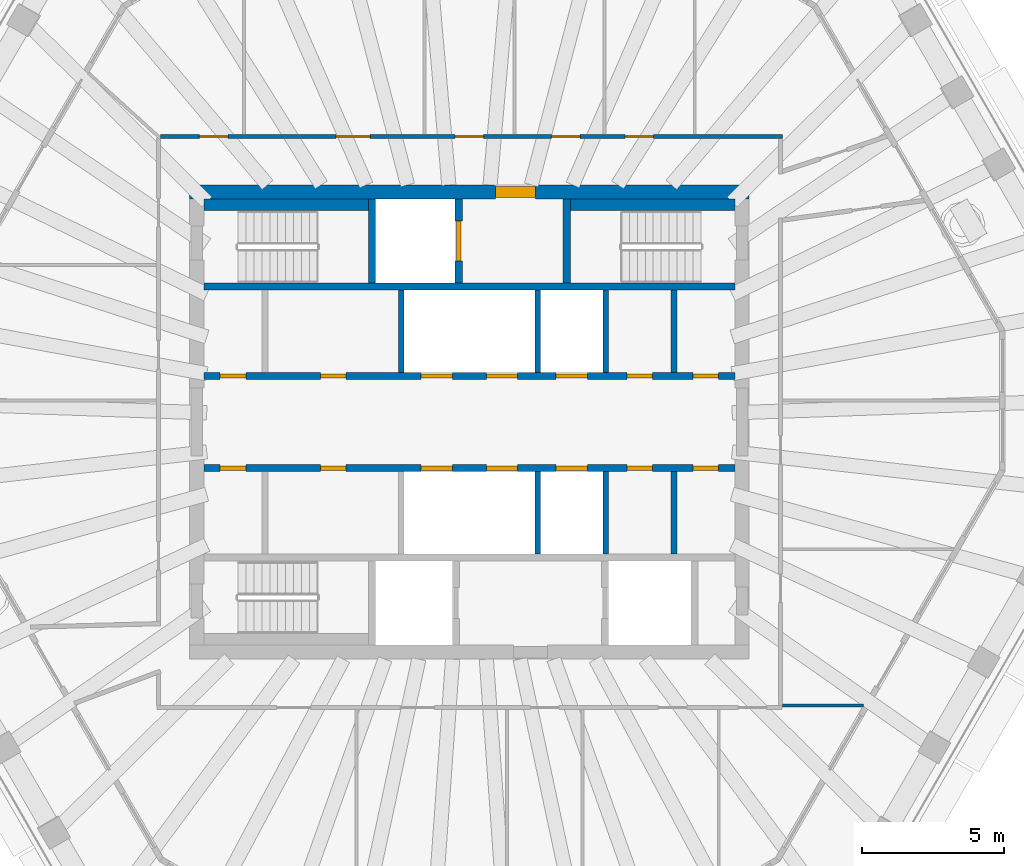
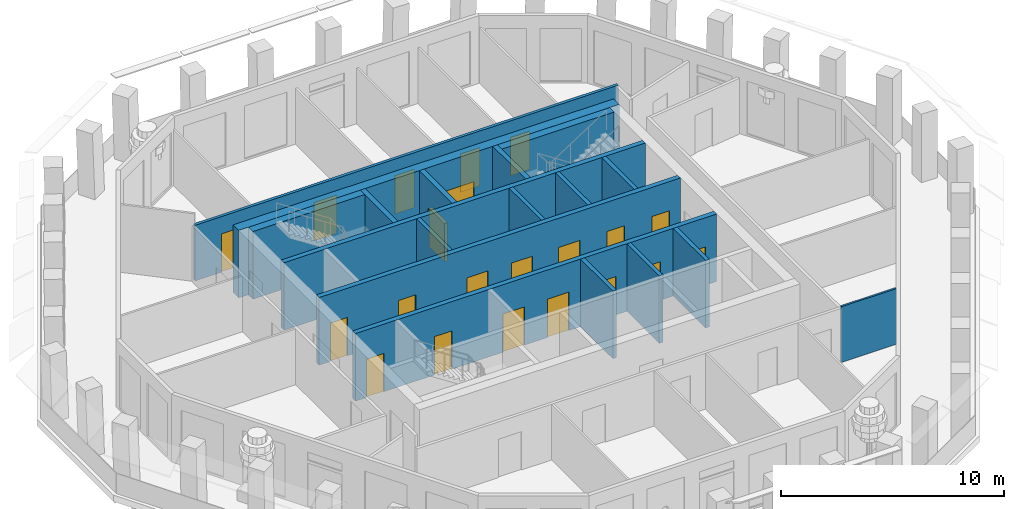
# One storey, part 5 of 11: 21 doors, 18 walls, 21 openings.
"""IFC4 building model written with IfcOpenShell, lengths in metres."""

from ifc_helpers import new_model, si_unit, direction, frame, frame_2d, origin, place, context, subcontext, project, spatial, rectangle, extrude, material, layer, layer_set, type_object, element, fill, save


model = new_model("IFC4")

# Units and contexts
model_context = context("Model", 3, precision=1e-05, world=origin(), true_north=direction((0.0, 1.0)))
body_context = subcontext(model_context, "Body", "Model", "MODEL_VIEW")
ifc_project = project(units=[si_unit("LENGTHUNIT", "METRE"), si_unit("AREAUNIT", "SQUARE_METRE"), si_unit("VOLUMEUNIT", "CUBIC_METRE"), si_unit("PLANEANGLEUNIT", "RADIAN"), si_unit("MASSUNIT", "GRAM", prefix="KILO")], contexts=[model_context])

# Site, building, storey
site_placement = place(None, origin())
site = spatial("IfcSite", under=ifc_project, at=site_placement, CompositionType="ELEMENT")
building_placement = place(site_placement, origin())
building = spatial("IfcBuilding", under=site, at=building_placement, Name="Frailejon Research Tower", CompositionType="ELEMENT")
storey_placement = place(building_placement, frame((0.0, 0.0, 332.60009765625)))
storey = spatial("IfcBuildingStorey", under=building, at=storey_placement, Name="L74", CompositionType="ELEMENT", Elevation=332.60009765625)

# Wall, opening, door
ifc_material_1 = material(Name="Concrete C50/60", Category="concrete")
ifc_layer_1 = layer(ifc_material_1, 0.5)
ifc_layer_set_1 = layer_set([ifc_layer_1], Name="Core shear wall 500 C50/60")
wall_type_1 = type_object("IfcWallType", Name="Core shear wall 500 C50/60", PredefinedType="SHEAR", material=ifc_layer_set_1)
wall_1_placement = place(storey_placement, frame((-9.85009765625, 8.10009765625, 0.0), z_axis=(0.0, 0.0, 1.0), x_axis=(1.0, 0.0, 0.0)))
wall_1 = element("IfcWall", 1, at=wall_1_placement, inside=storey, type_object=wall_type_1, Name="Core shear wall", PredefinedType="SHEAR", context=body_context, shape_type="SweptSolid", body=[
    extrude(rectangle(XDim=19.7001953125, YDim=0.5, at=frame_2d((9.85009765625, 0.0))), origin(), (0.0, 0.0, 1.0), 3.699951171875),
])
opening_1_placement = place(wall_1_placement, frame((10.77490234375, 0.0, 0.0)))
opening_1 = element("IfcOpeningElement", 2, at=opening_1_placement, cuts=wall_1, Name="Opening D9", PredefinedType="OPENING", context=body_context, shape_type="SweptSolid", body=[
    extrude(rectangle(XDim=1.39990234375, YDim=2.10009765625, at=frame_2d((0.699951171875, 1.050048828125))), frame((0.0, 0.260009765625, 0.0), z_axis=(0.0, -1.0, 0.0), x_axis=(1.0, 0.0, 0.0)), (0.0, 0.0, 1.0), 0.52001953125),
])
ifc_material_2 = material(Name="Steel", Category="steel")
door_type_1 = type_object("IfcDoorType", Name="Goods lobby door", OperationType="DOUBLE_DOOR_SINGLE_SWING", PredefinedType="DOOR", material=ifc_material_2)
door_1_placement = place(opening_1_placement, origin())
door_1 = element("IfcDoor", 3, at=door_1_placement, inside=storey, type_object=door_type_1, Name="Goods lobby door", OperationType="DOUBLE_DOOR_SINGLE_SWING", OverallHeight=2.10009765625, OverallWidth=1.39990234375, PredefinedType="DOOR", context=body_context, shape_type="SweptSolid", body=[
    extrude(rectangle(XDim=1.39990234375, YDim=2.10009765625, at=frame_2d((0.699951171875, 1.050048828125))), frame((0.0, 0.199951171875, 0.0), z_axis=(0.0, -1.0, 0.0), x_axis=(1.0, 0.0, 0.0)), (0.0, 0.0, 1.0), 0.39990234375),
])
fill(opening_1, door_1)

# Wall, openings, doors
ifc_material_3 = material(Name="Gypsum board and masonry partition", Category="masonry")
ifc_layer_2 = layer(ifc_material_3, 0.14990234375)
ifc_layer_set_2 = layer_set([ifc_layer_2], Name="Corridor wall EI 60, gypsum on steel studs 150")
wall_type_2 = type_object("IfcWallType", Name="Corridor wall EI 60, gypsum on steel studs 150", PredefinedType="PARTITIONING", material=ifc_layer_set_2)
wall_2_placement = place(storey_placement, frame((-10.875, 10.050048828125, 0.0), z_axis=(0.0, 0.0, 1.0), x_axis=(1.0, 0.0, 0.0)))
wall_2 = element("IfcWall", 4, at=wall_2_placement, inside=storey, type_object=wall_type_2, Name="T:IW:L74:005", PredefinedType="PARTITIONING", context=body_context, shape_type="SweptSolid", body=[
    extrude(rectangle(XDim=21.89990234375, YDim=0.14990234375, at=frame_2d((10.949951171875, 0.0))), origin(), (0.0, 0.0, 1.0), 3.0498046875),
])
opening_2_placement = place(wall_2_placement, frame((16.354248046875, 0.0, 0.0)))
opening_2 = element("IfcOpeningElement", 5, at=opening_2_placement, cuts=wall_2, Name="Opening D2382", PredefinedType="OPENING", context=body_context, shape_type="SweptSolid", body=[
    extrude(rectangle(XDim=1.0, YDim=2.10009765625, at=frame_2d((0.5, 1.050048828125))), frame((0.0, 0.0849609375, 0.0), z_axis=(0.0, -1.0, 0.0), x_axis=(1.0, 0.0, 0.0)), (0.0, 0.0, 1.0), 0.169921875),
])
opening_3_placement = place(wall_2_placement, frame((13.77001953125, 0.0, 0.0)))
opening_3 = element("IfcOpeningElement", 6, at=opening_3_placement, cuts=wall_2, Name="Opening D2383", PredefinedType="OPENING", context=body_context, shape_type="SweptSolid", body=[
    extrude(rectangle(XDim=1.0, YDim=2.10009765625, at=frame_2d((0.5, 1.050048828125))), frame((0.0, 0.0849609375, 0.0), z_axis=(0.0, -1.0, 0.0), x_axis=(1.0, 0.0, 0.0)), (0.0, 0.0, 1.0), 0.169921875),
])
opening_4_placement = place(wall_2_placement, frame((10.375, 0.0, 0.0)))
opening_4 = element("IfcOpeningElement", 7, at=opening_4_placement, cuts=wall_2, Name="Opening D2384", PredefinedType="OPENING", context=body_context, shape_type="SweptSolid", body=[
    extrude(rectangle(XDim=1.0, YDim=2.10009765625, at=frame_2d((0.5, 1.050048828125))), frame((0.0, 0.0849609375, 0.0), z_axis=(0.0, -1.0, 0.0), x_axis=(1.0, 0.0, 0.0)), (0.0, 0.0, 1.0), 0.169921875),
])
opening_5_placement = place(wall_2_placement, frame((6.181396484375, 0.0, 0.0)))
opening_5 = element("IfcOpeningElement", 8, at=opening_5_placement, cuts=wall_2, Name="Opening D2385", PredefinedType="OPENING", context=body_context, shape_type="SweptSolid", body=[
    extrude(rectangle(XDim=1.199951171875, YDim=2.10009765625, at=frame_2d((0.60009765625, 1.050048828125))), frame((0.0, 0.0849609375, 0.0), z_axis=(0.0, -1.0, 0.0), x_axis=(1.0, 0.0, 0.0)), (0.0, 0.0, 1.0), 0.169921875),
])
opening_6_placement = place(wall_2_placement, frame((1.365234375, 0.0, 0.0)))
opening_6 = element("IfcOpeningElement", 9, at=opening_6_placement, cuts=wall_2, Name="Opening D2386", PredefinedType="OPENING", context=body_context, shape_type="SweptSolid", body=[
    extrude(rectangle(XDim=1.0, YDim=2.10009765625, at=frame_2d((0.5, 1.050048828125))), frame((0.0, 0.0849609375, 0.0), z_axis=(0.0, -1.0, 0.0), x_axis=(1.0, 0.0, 0.0)), (0.0, 0.0, 1.0), 0.169921875),
])
ifc_material_4 = material(Name="Timber door leaf", Category="wood")
door_type_2 = type_object("IfcDoorType", Name="Door single leaf, timber, steel frame 1000", OperationType="NOTDEFINED", PredefinedType="DOOR", material=ifc_material_4)
door_2_placement = place(opening_2_placement, origin())
door_2 = element("IfcDoor", 10, at=door_2_placement, inside=storey, type_object=door_type_2, Name="D2382", OperationType="SINGLE_SWING_LEFT", OverallHeight=2.10009765625, OverallWidth=1.0, PredefinedType="DOOR", context=body_context, shape_type="SweptSolid", body=[
    extrude(rectangle(XDim=1.0, YDim=2.10009765625, at=frame_2d((0.5, 1.050048828125))), frame((0.0, 0.02490234375, 0.0), z_axis=(0.0, -1.0, 0.0), x_axis=(1.0, 0.0, 0.0)), (0.0, 0.0, 1.0), 0.050048828125),
])
fill(opening_2, door_2)
door_3_placement = place(opening_3_placement, origin())
door_3 = element("IfcDoor", 11, at=door_3_placement, inside=storey, type_object=door_type_2, Name="D2383", OperationType="SINGLE_SWING_LEFT", OverallHeight=2.10009765625, OverallWidth=1.0, PredefinedType="DOOR", context=body_context, shape_type="SweptSolid", body=[
    extrude(rectangle(XDim=1.0, YDim=2.10009765625, at=frame_2d((0.5, 1.050048828125))), frame((0.0, 0.02490234375, 0.0), z_axis=(0.0, -1.0, 0.0), x_axis=(1.0, 0.0, 0.0)), (0.0, 0.0, 1.0), 0.050048828125),
])
fill(opening_3, door_3)
door_4_placement = place(opening_4_placement, origin())
door_4 = element("IfcDoor", 12, at=door_4_placement, inside=storey, type_object=door_type_2, Name="D2384", OperationType="SINGLE_SWING_LEFT", OverallHeight=2.10009765625, OverallWidth=1.0, PredefinedType="DOOR", context=body_context, shape_type="SweptSolid", body=[
    extrude(rectangle(XDim=1.0, YDim=2.10009765625, at=frame_2d((0.5, 1.050048828125))), frame((0.0, 0.02490234375, 0.0), z_axis=(0.0, -1.0, 0.0), x_axis=(1.0, 0.0, 0.0)), (0.0, 0.0, 1.0), 0.050048828125),
])
fill(opening_4, door_4)
door_5_placement = place(opening_6_placement, origin())
door_5 = element("IfcDoor", 13, at=door_5_placement, inside=storey, type_object=door_type_2, Name="D2386", OperationType="SINGLE_SWING_RIGHT", OverallHeight=2.10009765625, OverallWidth=1.0, PredefinedType="DOOR", context=body_context, shape_type="SweptSolid", body=[
    extrude(rectangle(XDim=1.0, YDim=2.10009765625, at=frame_2d((0.5, 1.050048828125))), frame((0.0, 0.02490234375, 0.0), z_axis=(0.0, -1.0, 0.0), x_axis=(1.0, 0.0, 0.0)), (0.0, 0.0, 1.0), 0.050048828125),
])
fill(opening_6, door_5)
ifc_material_5 = material(Name="Timber door leaf", Category="wood")
door_type_3 = type_object("IfcDoorType", Name="Door single leaf, timber, steel frame 1200", OperationType="NOTDEFINED", PredefinedType="DOOR", material=ifc_material_5)
door_6_placement = place(opening_5_placement, origin())
door_6 = element("IfcDoor", 14, at=door_6_placement, inside=storey, type_object=door_type_3, Name="D2385", OperationType="DOUBLE_DOOR_SINGLE_SWING", OverallHeight=2.10009765625, OverallWidth=1.199951171875, PredefinedType="DOOR", context=body_context, shape_type="SweptSolid", body=[
    extrude(rectangle(XDim=1.199951171875, YDim=2.10009765625, at=frame_2d((0.60009765625, 1.050048828125))), frame((0.0, 0.02490234375, 0.0), z_axis=(0.0, -1.0, 0.0), x_axis=(1.0, 0.0, 0.0)), (0.0, 0.0, 1.0), 0.050048828125),
])
fill(opening_5, door_6)

# Walls
ifc_material_6 = material(Name="Gypsum board and masonry partition", Category="masonry")
ifc_layer_3 = layer(ifc_material_6, 0.10009765625)
ifc_layer_set_3 = layer_set([ifc_layer_3], Name="Partition, gypsum on steel studs 100")
wall_type_3 = type_object("IfcWallType", Name="Partition, gypsum on steel studs 100", PredefinedType="PARTITIONING", material=ifc_layer_set_3)
wall_3_placement = place(storey_placement, frame((11.02490234375, -9.974365234375, 0.0), z_axis=(0.0, 0.0, 1.0), x_axis=(1.0, 0.0, 0.0)))
element("IfcWall", 15, at=wall_3_placement, inside=storey, type_object=wall_type_3, Name="T:IW:L74:024", PredefinedType="PARTITIONING", context=body_context, shape_type="SweptSolid", body=[
    extrude(rectangle(XDim=2.84619140625, YDim=0.10009765625, at=frame_2d((1.423095703125, 0.0))), origin(), (0.0, 0.0, 1.0), 3.0498046875),
])
ifc_material_7 = material(Name="Concrete C50/60", Category="concrete")
ifc_layer_4 = layer(ifc_material_7, 0.199951171875)
ifc_layer_set_4 = layer_set([ifc_layer_4], Name="Shaft wall 200 C50/60")
wall_type_4 = type_object("IfcWallType", Name="Shaft wall 200 C50/60", PredefinedType="SOLIDWALL", material=ifc_layer_set_4)
for number, where, z_axis, x_axis, name in (
    (16, (-2.39990234375, 1.75, 0.0), (0.0, 0.0, 1.0), (0.0, 1.0, 0.0), "Shaft wall"),
    (17, (2.39990234375, 1.75, 0.0), (0.0, 0.0, 1.0), (0.0, 1.0, 0.0), "Shaft wall"),
    (18, (4.800048828125, 1.75, 0.0), (0.0, 0.0, 1.0), (0.0, 1.0, 0.0), "Shaft wall"),
    (19, (7.199951171875, 1.75, 0.0), (0.0, 0.0, 1.0), (0.0, 1.0, 0.0), "Shaft wall"),
    (20, (2.39990234375, -4.64990234375, 0.0), (0.0, 0.0, 1.0), (0.0, 1.0, 0.0), "Shaft wall"),
    (21, (4.800048828125, -4.64990234375, 0.0), (0.0, 0.0, 1.0), (0.0, 1.0, 0.0), "Shaft wall"),
    (22, (7.199951171875, -4.64990234375, 0.0), (0.0, 0.0, 1.0), (0.0, 1.0, 0.0), "Shaft wall"),
):
    element("IfcWall", number, at=place(storey_placement, frame(where, z_axis=z_axis, x_axis=x_axis)), inside=storey, type_object=wall_type_4, Name=name, PredefinedType="SOLIDWALL", context=body_context, shape_type="SweptSolid", body=[
        extrude(rectangle(XDim=2.89990234375, YDim=0.199951171875, at=frame_2d((1.449951171875, 0.0))), origin(), (0.0, 0.0, 1.0), 3.699951171875),
    ])

# Wall, openings, doors
ifc_material_8 = material(Name="Concrete C50/60", Category="concrete")
ifc_layer_5 = layer(ifc_material_8, 0.25)
ifc_layer_set_5 = layer_set([ifc_layer_5], Name="Shaft wall 250 C50/60")
wall_type_5 = type_object("IfcWallType", Name="Shaft wall 250 C50/60", PredefinedType="SOLIDWALL", material=ifc_layer_set_5)
wall_4_placement = place(storey_placement, frame((-9.35009765625, 1.625, 0.0), z_axis=(0.0, 0.0, 1.0), x_axis=(1.0, 0.0, 0.0)))
wall_4 = element("IfcWall", 23, at=wall_4_placement, inside=storey, type_object=wall_type_5, Name="Shaft wall", PredefinedType="SOLIDWALL", context=body_context, shape_type="SweptSolid", body=[
    extrude(rectangle(XDim=18.7001953125, YDim=0.25, at=frame_2d((9.35009765625, 0.0))), origin(), (0.0, 0.0, 1.0), 3.699951171875),
])
opening_7_placement = place(wall_4_placement, frame((7.64990234375, 0.0, 0.0)))
opening_7 = element("IfcOpeningElement", 24, at=opening_7_placement, cuts=wall_4, Name="Opening LD", PredefinedType="OPENING", context=body_context, shape_type="SweptSolid", body=[
    extrude(rectangle(XDim=1.10009765625, YDim=2.10009765625, at=frame_2d((0.550048828125, 1.050048828125))), frame((0.0, 0.135009765625, 0.0), z_axis=(0.0, -1.0, 0.0), x_axis=(1.0, 0.0, 0.0)), (0.0, 0.0, 1.0), 0.27001953125),
])
opening_8_placement = place(wall_4_placement, frame((9.949951171875, 0.0, 0.0)))
opening_8 = element("IfcOpeningElement", 25, at=opening_8_placement, cuts=wall_4, Name="Opening LD", PredefinedType="OPENING", context=body_context, shape_type="SweptSolid", body=[
    extrude(rectangle(XDim=1.10009765625, YDim=2.10009765625, at=frame_2d((0.550048828125, 1.050048828125))), frame((0.0, 0.135009765625, 0.0), z_axis=(0.0, -1.0, 0.0), x_axis=(1.0, 0.0, 0.0)), (0.0, 0.0, 1.0), 0.27001953125),
])
opening_9_placement = place(wall_4_placement, frame((12.39990234375, 0.0, 0.0)))
opening_9 = element("IfcOpeningElement", 26, at=opening_9_placement, cuts=wall_4, Name="Opening LD", PredefinedType="OPENING", context=body_context, shape_type="SweptSolid", body=[
    extrude(rectangle(XDim=1.10009765625, YDim=2.10009765625, at=frame_2d((0.550048828125, 1.050048828125))), frame((0.0, 0.135009765625, 0.0), z_axis=(0.0, -1.0, 0.0), x_axis=(1.0, 0.0, 0.0)), (0.0, 0.0, 1.0), 0.27001953125),
])
opening_10_placement = place(wall_4_placement, frame((0.574951171875, 0.0, 0.0)))
opening_10 = element("IfcOpeningElement", 27, at=opening_10_placement, cuts=wall_4, Name="Opening D8", PredefinedType="OPENING", context=body_context, shape_type="SweptSolid", body=[
    extrude(rectangle(XDim=0.89990234375, YDim=2.10009765625, at=frame_2d((0.449951171875, 1.050048828125))), frame((0.0, 0.135009765625, 0.0), z_axis=(0.0, -1.0, 0.0), x_axis=(1.0, 0.0, 0.0)), (0.0, 0.0, 1.0), 0.27001953125),
])
opening_11_placement = place(wall_4_placement, frame((4.10009765625, 0.0, 0.0)))
opening_11 = element("IfcOpeningElement", 28, at=opening_11_placement, cuts=wall_4, Name="Opening D8", PredefinedType="OPENING", context=body_context, shape_type="SweptSolid", body=[
    extrude(rectangle(XDim=0.89990234375, YDim=2.10009765625, at=frame_2d((0.449951171875, 1.050048828125))), frame((0.0, 0.135009765625, 0.0), z_axis=(0.0, -1.0, 0.0), x_axis=(1.0, 0.0, 0.0)), (0.0, 0.0, 1.0), 0.27001953125),
])
opening_12_placement = place(wall_4_placement, frame((14.89990234375, 0.0, 0.0)))
opening_12 = element("IfcOpeningElement", 29, at=opening_12_placement, cuts=wall_4, Name="Opening D8", PredefinedType="OPENING", context=body_context, shape_type="SweptSolid", body=[
    extrude(rectangle(XDim=0.89990234375, YDim=2.10009765625, at=frame_2d((0.449951171875, 1.050048828125))), frame((0.0, 0.135009765625, 0.0), z_axis=(0.0, -1.0, 0.0), x_axis=(1.0, 0.0, 0.0)), (0.0, 0.0, 1.0), 0.27001953125),
])
opening_13_placement = place(wall_4_placement, frame((17.22509765625, 0.0, 0.0)))
opening_13 = element("IfcOpeningElement", 30, at=opening_13_placement, cuts=wall_4, Name="Opening D8", PredefinedType="OPENING", context=body_context, shape_type="SweptSolid", body=[
    extrude(rectangle(XDim=0.89990234375, YDim=2.10009765625, at=frame_2d((0.449951171875, 1.050048828125))), frame((0.0, 0.135009765625, 0.0), z_axis=(0.0, -1.0, 0.0), x_axis=(1.0, 0.0, 0.0)), (0.0, 0.0, 1.0), 0.27001953125),
])
ifc_material_9 = material(Name="Steel", Category="steel")
door_type_4 = type_object("IfcDoorType", Name="Core room door", OperationType="SINGLE_SWING_LEFT", PredefinedType="DOOR", material=ifc_material_9)
door_7_placement = place(opening_10_placement, origin())
door_7 = element("IfcDoor", 31, at=door_7_placement, inside=storey, type_object=door_type_4, Name="Room door", OperationType="SINGLE_SWING_RIGHT", OverallHeight=2.10009765625, OverallWidth=0.89990234375, PredefinedType="DOOR", context=body_context, shape_type="SweptSolid", body=[
    extrude(rectangle(XDim=0.89990234375, YDim=2.10009765625, at=frame_2d((0.449951171875, 1.050048828125))), frame((0.0, 0.074951171875, 0.0), z_axis=(0.0, -1.0, 0.0), x_axis=(1.0, 0.0, 0.0)), (0.0, 0.0, 1.0), 0.14990234375),
])
fill(opening_10, door_7)
door_8_placement = place(opening_11_placement, origin())
door_8 = element("IfcDoor", 32, at=door_8_placement, inside=storey, type_object=door_type_4, Name="Room door", OperationType="SINGLE_SWING_LEFT", OverallHeight=2.10009765625, OverallWidth=0.89990234375, PredefinedType="DOOR", context=body_context, shape_type="SweptSolid", body=[
    extrude(rectangle(XDim=0.89990234375, YDim=2.10009765625, at=frame_2d((0.449951171875, 1.050048828125))), frame((0.0, 0.074951171875, 0.0), z_axis=(0.0, -1.0, 0.0), x_axis=(1.0, 0.0, 0.0)), (0.0, 0.0, 1.0), 0.14990234375),
])
fill(opening_11, door_8)
door_9_placement = place(opening_12_placement, origin())
door_9 = element("IfcDoor", 33, at=door_9_placement, inside=storey, type_object=door_type_4, Name="Room door", OperationType="SINGLE_SWING_RIGHT", OverallHeight=2.10009765625, OverallWidth=0.89990234375, PredefinedType="DOOR", context=body_context, shape_type="SweptSolid", body=[
    extrude(rectangle(XDim=0.89990234375, YDim=2.10009765625, at=frame_2d((0.449951171875, 1.050048828125))), frame((0.0, 0.074951171875, 0.0), z_axis=(0.0, -1.0, 0.0), x_axis=(1.0, 0.0, 0.0)), (0.0, 0.0, 1.0), 0.14990234375),
])
fill(opening_12, door_9)
door_10_placement = place(opening_13_placement, origin())
door_10 = element("IfcDoor", 34, at=door_10_placement, inside=storey, type_object=door_type_4, Name="Room door", OperationType="SINGLE_SWING_LEFT", OverallHeight=2.10009765625, OverallWidth=0.89990234375, PredefinedType="DOOR", context=body_context, shape_type="SweptSolid", body=[
    extrude(rectangle(XDim=0.89990234375, YDim=2.10009765625, at=frame_2d((0.449951171875, 1.050048828125))), frame((0.0, 0.074951171875, 0.0), z_axis=(0.0, -1.0, 0.0), x_axis=(1.0, 0.0, 0.0)), (0.0, 0.0, 1.0), 0.14990234375),
])
fill(opening_13, door_10)
ifc_material_10 = material(Name="Steel", Category="steel")
door_type_5 = type_object("IfcDoorType", Name="Lift landing door", OperationType="DOUBLE_DOOR_SLIDING", PredefinedType="DOOR", material=ifc_material_10)
door_11_placement = place(opening_7_placement, origin())
door_11 = element("IfcDoor", 35, at=door_11_placement, inside=storey, type_object=door_type_5, Name="Lift landing door", OperationType="DOUBLE_DOOR_SLIDING", OverallHeight=2.10009765625, OverallWidth=1.10009765625, PredefinedType="DOOR", context=body_context, shape_type="SweptSolid", body=[
    extrude(rectangle(XDim=1.10009765625, YDim=2.10009765625, at=frame_2d((0.550048828125, 1.050048828125))), frame((0.0, 0.074951171875, 0.0), z_axis=(0.0, -1.0, 0.0), x_axis=(1.0, 0.0, 0.0)), (0.0, 0.0, 1.0), 0.14990234375),
])
fill(opening_7, door_11)
door_12_placement = place(opening_8_placement, origin())
door_12 = element("IfcDoor", 36, at=door_12_placement, inside=storey, type_object=door_type_5, Name="Lift landing door", OperationType="DOUBLE_DOOR_SLIDING", OverallHeight=2.10009765625, OverallWidth=1.10009765625, PredefinedType="DOOR", context=body_context, shape_type="SweptSolid", body=[
    extrude(rectangle(XDim=1.10009765625, YDim=2.10009765625, at=frame_2d((0.550048828125, 1.050048828125))), frame((0.0, 0.074951171875, 0.0), z_axis=(0.0, -1.0, 0.0), x_axis=(1.0, 0.0, 0.0)), (0.0, 0.0, 1.0), 0.14990234375),
])
fill(opening_8, door_12)
door_13_placement = place(opening_9_placement, origin())
door_13 = element("IfcDoor", 37, at=door_13_placement, inside=storey, type_object=door_type_5, Name="Lift landing door", OperationType="DOUBLE_DOOR_SLIDING", OverallHeight=2.10009765625, OverallWidth=1.10009765625, PredefinedType="DOOR", context=body_context, shape_type="SweptSolid", body=[
    extrude(rectangle(XDim=1.10009765625, YDim=2.10009765625, at=frame_2d((0.550048828125, 1.050048828125))), frame((0.0, 0.074951171875, 0.0), z_axis=(0.0, -1.0, 0.0), x_axis=(1.0, 0.0, 0.0)), (0.0, 0.0, 1.0), 0.14990234375),
])
fill(opening_9, door_13)

# Wall
wall_5_placement = place(storey_placement, frame((-9.35009765625, 4.77490234375, 0.0), z_axis=(0.0, 0.0, 1.0), x_axis=(1.0, 0.0, 0.0)))
element("IfcWall", 38, at=wall_5_placement, inside=storey, type_object=wall_type_5, Name="Shaft wall", PredefinedType="SOLIDWALL", context=body_context, shape_type="SweptSolid", body=[
    extrude(rectangle(XDim=18.7001953125, YDim=0.25, at=frame_2d((9.35009765625, 0.0))), origin(), (0.0, 0.0, 1.0), 3.699951171875),
])

# Wall, openings, doors
wall_6_placement = place(storey_placement, frame((-9.35009765625, -1.625, 0.0), z_axis=(0.0, 0.0, 1.0), x_axis=(1.0, 0.0, 0.0)))
wall_6 = element("IfcWall", 39, at=wall_6_placement, inside=storey, type_object=wall_type_5, Name="Shaft wall", PredefinedType="SOLIDWALL", context=body_context, shape_type="SweptSolid", body=[
    extrude(rectangle(XDim=18.7001953125, YDim=0.25, at=frame_2d((9.35009765625, 0.0))), origin(), (0.0, 0.0, 1.0), 3.699951171875),
])
opening_14_placement = place(wall_6_placement, frame((7.64990234375, 0.0, 0.0)))
opening_14 = element("IfcOpeningElement", 40, at=opening_14_placement, cuts=wall_6, Name="Opening LD", PredefinedType="OPENING", context=body_context, shape_type="SweptSolid", body=[
    extrude(rectangle(XDim=1.10009765625, YDim=2.10009765625, at=frame_2d((0.550048828125, 1.050048828125))), frame((0.0, 0.135009765625, 0.0), z_axis=(0.0, -1.0, 0.0), x_axis=(1.0, 0.0, 0.0)), (0.0, 0.0, 1.0), 0.27001953125),
])
opening_15_placement = place(wall_6_placement, frame((9.949951171875, 0.0, 0.0)))
opening_15 = element("IfcOpeningElement", 41, at=opening_15_placement, cuts=wall_6, Name="Opening LD", PredefinedType="OPENING", context=body_context, shape_type="SweptSolid", body=[
    extrude(rectangle(XDim=1.10009765625, YDim=2.10009765625, at=frame_2d((0.550048828125, 1.050048828125))), frame((0.0, 0.135009765625, 0.0), z_axis=(0.0, -1.0, 0.0), x_axis=(1.0, 0.0, 0.0)), (0.0, 0.0, 1.0), 0.27001953125),
])
opening_16_placement = place(wall_6_placement, frame((12.39990234375, 0.0, 0.0)))
opening_16 = element("IfcOpeningElement", 42, at=opening_16_placement, cuts=wall_6, Name="Opening LD", PredefinedType="OPENING", context=body_context, shape_type="SweptSolid", body=[
    extrude(rectangle(XDim=1.10009765625, YDim=2.10009765625, at=frame_2d((0.550048828125, 1.050048828125))), frame((0.0, 0.135009765625, 0.0), z_axis=(0.0, -1.0, 0.0), x_axis=(1.0, 0.0, 0.0)), (0.0, 0.0, 1.0), 0.27001953125),
])
opening_17_placement = place(wall_6_placement, frame((0.574951171875, 0.0, 0.0)))
opening_17 = element("IfcOpeningElement", 43, at=opening_17_placement, cuts=wall_6, Name="Opening D8", PredefinedType="OPENING", context=body_context, shape_type="SweptSolid", body=[
    extrude(rectangle(XDim=0.89990234375, YDim=2.10009765625, at=frame_2d((0.449951171875, 1.050048828125))), frame((0.0, 0.135009765625, 0.0), z_axis=(0.0, -1.0, 0.0), x_axis=(1.0, 0.0, 0.0)), (0.0, 0.0, 1.0), 0.27001953125),
])
opening_18_placement = place(wall_6_placement, frame((4.10009765625, 0.0, 0.0)))
opening_18 = element("IfcOpeningElement", 44, at=opening_18_placement, cuts=wall_6, Name="Opening D8", PredefinedType="OPENING", context=body_context, shape_type="SweptSolid", body=[
    extrude(rectangle(XDim=0.89990234375, YDim=2.10009765625, at=frame_2d((0.449951171875, 1.050048828125))), frame((0.0, 0.135009765625, 0.0), z_axis=(0.0, -1.0, 0.0), x_axis=(1.0, 0.0, 0.0)), (0.0, 0.0, 1.0), 0.27001953125),
])
opening_19_placement = place(wall_6_placement, frame((14.89990234375, 0.0, 0.0)))
opening_19 = element("IfcOpeningElement", 45, at=opening_19_placement, cuts=wall_6, Name="Opening D8", PredefinedType="OPENING", context=body_context, shape_type="SweptSolid", body=[
    extrude(rectangle(XDim=0.89990234375, YDim=2.10009765625, at=frame_2d((0.449951171875, 1.050048828125))), frame((0.0, 0.135009765625, 0.0), z_axis=(0.0, -1.0, 0.0), x_axis=(1.0, 0.0, 0.0)), (0.0, 0.0, 1.0), 0.27001953125),
])
opening_20_placement = place(wall_6_placement, frame((17.22509765625, 0.0, 0.0)))
opening_20 = element("IfcOpeningElement", 46, at=opening_20_placement, cuts=wall_6, Name="Opening D8", PredefinedType="OPENING", context=body_context, shape_type="SweptSolid", body=[
    extrude(rectangle(XDim=0.89990234375, YDim=2.10009765625, at=frame_2d((0.449951171875, 1.050048828125))), frame((0.0, 0.135009765625, 0.0), z_axis=(0.0, -1.0, 0.0), x_axis=(1.0, 0.0, 0.0)), (0.0, 0.0, 1.0), 0.27001953125),
])
door_14_placement = place(opening_17_placement, origin())
door_14 = element("IfcDoor", 47, at=door_14_placement, inside=storey, type_object=door_type_4, Name="Room door", OperationType="SINGLE_SWING_RIGHT", OverallHeight=2.10009765625, OverallWidth=0.89990234375, PredefinedType="DOOR", context=body_context, shape_type="SweptSolid", body=[
    extrude(rectangle(XDim=0.89990234375, YDim=2.10009765625, at=frame_2d((0.449951171875, 1.050048828125))), frame((0.0, 0.074951171875, 0.0), z_axis=(0.0, -1.0, 0.0), x_axis=(1.0, 0.0, 0.0)), (0.0, 0.0, 1.0), 0.14990234375),
])
fill(opening_17, door_14)
door_15_placement = place(opening_18_placement, origin())
door_15 = element("IfcDoor", 48, at=door_15_placement, inside=storey, type_object=door_type_4, Name="Room door", OperationType="SINGLE_SWING_LEFT", OverallHeight=2.10009765625, OverallWidth=0.89990234375, PredefinedType="DOOR", context=body_context, shape_type="SweptSolid", body=[
    extrude(rectangle(XDim=0.89990234375, YDim=2.10009765625, at=frame_2d((0.449951171875, 1.050048828125))), frame((0.0, 0.074951171875, 0.0), z_axis=(0.0, -1.0, 0.0), x_axis=(1.0, 0.0, 0.0)), (0.0, 0.0, 1.0), 0.14990234375),
])
fill(opening_18, door_15)
door_16_placement = place(opening_19_placement, origin())
door_16 = element("IfcDoor", 49, at=door_16_placement, inside=storey, type_object=door_type_4, Name="Room door", OperationType="SINGLE_SWING_RIGHT", OverallHeight=2.10009765625, OverallWidth=0.89990234375, PredefinedType="DOOR", context=body_context, shape_type="SweptSolid", body=[
    extrude(rectangle(XDim=0.89990234375, YDim=2.10009765625, at=frame_2d((0.449951171875, 1.050048828125))), frame((0.0, 0.074951171875, 0.0), z_axis=(0.0, -1.0, 0.0), x_axis=(1.0, 0.0, 0.0)), (0.0, 0.0, 1.0), 0.14990234375),
])
fill(opening_19, door_16)
door_17_placement = place(opening_20_placement, origin())
door_17 = element("IfcDoor", 50, at=door_17_placement, inside=storey, type_object=door_type_4, Name="Room door", OperationType="SINGLE_SWING_LEFT", OverallHeight=2.10009765625, OverallWidth=0.89990234375, PredefinedType="DOOR", context=body_context, shape_type="SweptSolid", body=[
    extrude(rectangle(XDim=0.89990234375, YDim=2.10009765625, at=frame_2d((0.449951171875, 1.050048828125))), frame((0.0, 0.074951171875, 0.0), z_axis=(0.0, -1.0, 0.0), x_axis=(1.0, 0.0, 0.0)), (0.0, 0.0, 1.0), 0.14990234375),
])
fill(opening_20, door_17)
door_18_placement = place(opening_14_placement, origin())
door_18 = element("IfcDoor", 51, at=door_18_placement, inside=storey, type_object=door_type_5, Name="Lift landing door", OperationType="DOUBLE_DOOR_SLIDING", OverallHeight=2.10009765625, OverallWidth=1.10009765625, PredefinedType="DOOR", context=body_context, shape_type="SweptSolid", body=[
    extrude(rectangle(XDim=1.10009765625, YDim=2.10009765625, at=frame_2d((0.550048828125, 1.050048828125))), frame((0.0, 0.074951171875, 0.0), z_axis=(0.0, -1.0, 0.0), x_axis=(1.0, 0.0, 0.0)), (0.0, 0.0, 1.0), 0.14990234375),
])
fill(opening_14, door_18)
door_19_placement = place(opening_15_placement, origin())
door_19 = element("IfcDoor", 52, at=door_19_placement, inside=storey, type_object=door_type_5, Name="Lift landing door", OperationType="DOUBLE_DOOR_SLIDING", OverallHeight=2.10009765625, OverallWidth=1.10009765625, PredefinedType="DOOR", context=body_context, shape_type="SweptSolid", body=[
    extrude(rectangle(XDim=1.10009765625, YDim=2.10009765625, at=frame_2d((0.550048828125, 1.050048828125))), frame((0.0, 0.074951171875, 0.0), z_axis=(0.0, -1.0, 0.0), x_axis=(1.0, 0.0, 0.0)), (0.0, 0.0, 1.0), 0.14990234375),
])
fill(opening_15, door_19)
door_20_placement = place(opening_16_placement, origin())
door_20 = element("IfcDoor", 53, at=door_20_placement, inside=storey, type_object=door_type_5, Name="Lift landing door", OperationType="DOUBLE_DOOR_SLIDING", OverallHeight=2.10009765625, OverallWidth=1.10009765625, PredefinedType="DOOR", context=body_context, shape_type="SweptSolid", body=[
    extrude(rectangle(XDim=1.10009765625, YDim=2.10009765625, at=frame_2d((0.550048828125, 1.050048828125))), frame((0.0, 0.074951171875, 0.0), z_axis=(0.0, -1.0, 0.0), x_axis=(1.0, 0.0, 0.0)), (0.0, 0.0, 1.0), 0.14990234375),
])
fill(opening_16, door_20)

# Wall
wall_7_placement = place(storey_placement, frame((-3.425048828125, 4.89990234375, 0.0), z_axis=(0.0, 0.0, 1.0), x_axis=(0.0, 1.0, 0.0)))
element("IfcWall", 54, at=wall_7_placement, inside=storey, type_object=wall_type_5, Name="Shaft wall", PredefinedType="SOLIDWALL", context=body_context, shape_type="SweptSolid", body=[
    extrude(rectangle(XDim=2.9501953125, YDim=0.25, at=frame_2d((1.47509765625, 0.0))), origin(), (0.0, 0.0, 1.0), 3.699951171875),
])

# Wall, opening, door
wall_8_placement = place(storey_placement, frame((-0.375, 4.89990234375, 0.0), z_axis=(0.0, 0.0, 1.0), x_axis=(0.0, 1.0, 0.0)))
wall_8 = element("IfcWall", 55, at=wall_8_placement, inside=storey, type_object=wall_type_5, Name="Shaft wall", PredefinedType="SOLIDWALL", context=body_context, shape_type="SweptSolid", body=[
    extrude(rectangle(XDim=2.9501953125, YDim=0.25, at=frame_2d((1.47509765625, 0.0))), origin(), (0.0, 0.0, 1.0), 3.699951171875),
])
opening_21_placement = place(wall_8_placement, frame((0.77490234375, 0.0, 0.0)))
opening_21 = element("IfcOpeningElement", 56, at=opening_21_placement, cuts=wall_8, Name="Opening LD2", PredefinedType="OPENING", context=body_context, shape_type="SweptSolid", body=[
    extrude(rectangle(XDim=1.39990234375, YDim=2.10009765625, at=frame_2d((0.699951171875, 1.050048828125))), frame((0.0, 0.135009765625, 0.0), z_axis=(0.0, -1.0, 0.0), x_axis=(1.0, 0.0, 0.0)), (0.0, 0.0, 1.0), 0.27001953125),
])
ifc_material_11 = material(Name="Stainless steel", Category="steel")
door_type_6 = type_object("IfcDoorType", Name="Goods landing door", OperationType="DOUBLE_DOOR_SLIDING", PredefinedType="DOOR", material=ifc_material_11)
door_21_placement = place(opening_21_placement, origin())
door_21 = element("IfcDoor", 57, at=door_21_placement, inside=storey, type_object=door_type_6, Name="Lift landing door", OperationType="DOUBLE_DOOR_SLIDING", OverallHeight=2.10009765625, OverallWidth=1.39990234375, PredefinedType="DOOR", context=body_context, shape_type="SweptSolid", body=[
    extrude(rectangle(XDim=1.39990234375, YDim=2.10009765625, at=frame_2d((0.699951171875, 1.050048828125))), frame((0.0, 0.074951171875, 0.0), z_axis=(0.0, -1.0, 0.0), x_axis=(1.0, 0.0, 0.0)), (0.0, 0.0, 1.0), 0.14990234375),
])
fill(opening_21, door_21)

# Walls
wall_9_placement = place(storey_placement, frame((3.425048828125, 4.89990234375, 0.0), z_axis=(0.0, 0.0, 1.0), x_axis=(0.0, 1.0, 0.0)))
element("IfcWall", 58, at=wall_9_placement, inside=storey, type_object=wall_type_5, Name="Shaft wall", PredefinedType="SOLIDWALL", context=body_context, shape_type="SweptSolid", body=[
    extrude(rectangle(XDim=2.9501953125, YDim=0.25, at=frame_2d((1.47509765625, 0.0))), origin(), (0.0, 0.0, 1.0), 3.699951171875),
])
ifc_material_12 = material(Name="Concrete C50/60", Category="concrete")
ifc_layer_6 = layer(ifc_material_12, 0.39990234375)
ifc_layer_set_6 = layer_set([ifc_layer_6], Name="Shaft wall 400 C50/60")
wall_type_6 = type_object("IfcWallType", Name="Shaft wall 400 C50/60", PredefinedType="SOLIDWALL", material=ifc_layer_set_6)
for number, where, z_axis, x_axis, name in (
    (59, (-9.35009765625, 7.64990234375, 0.0), (0.0, 0.0, 1.0), (1.0, 0.0, 0.0), "Shaft wall"),
    (60, (3.550048828125, 7.64990234375, 0.0), (0.0, 0.0, 1.0), (1.0, 0.0, 0.0), "Shaft wall"),
):
    element("IfcWall", number, at=place(storey_placement, frame(where, z_axis=z_axis, x_axis=x_axis)), inside=storey, type_object=wall_type_6, Name=name, PredefinedType="SOLIDWALL", context=body_context, shape_type="SweptSolid", body=[
        extrude(rectangle(XDim=5.800048828125, YDim=0.39990234375, at=frame_2d((2.89990234375, 0.0))), origin(), (0.0, 0.0, 1.0), 3.699951171875),
    ])

save(model, "model.ifc")
